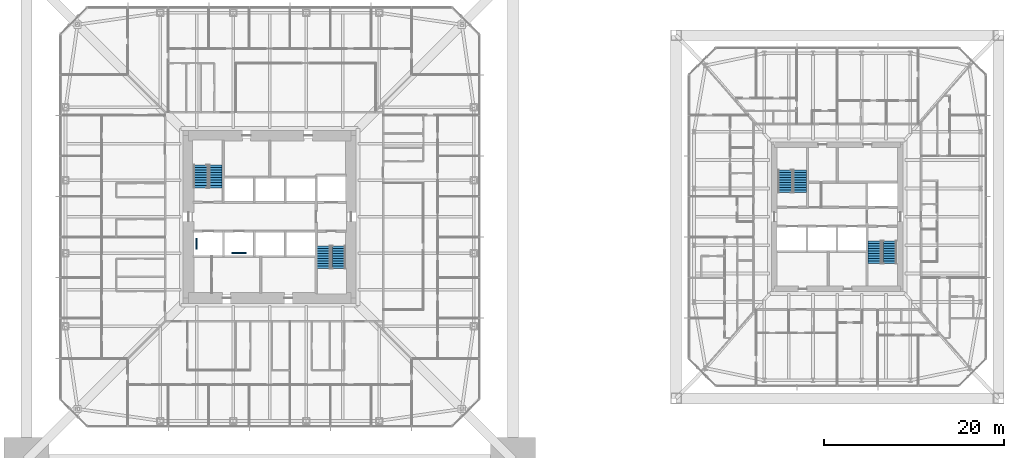
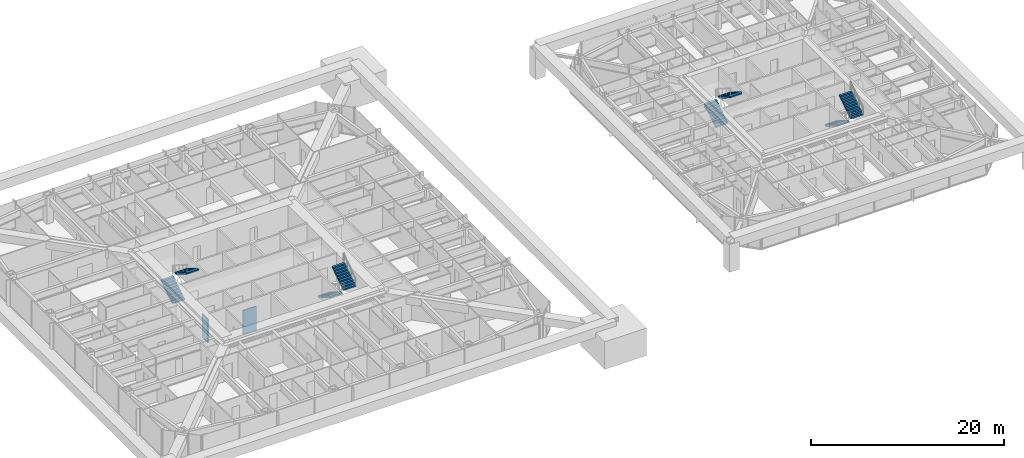
# One storey, part 28 of 32: 8 stair flights, 2 discrete accessories, 4 elements without a shape of their own.
"""IFC4 building model written with IfcOpenShell, lengths in metres."""

from ifc_helpers import new_model, si_unit, direction, frame, origin, origin_2d, place, context, subcontext, project, spatial, polyline, rectangle, outline, extrude, material, constituent, constituent_set, type_object, element, aggregate, save


model = new_model("IFC4")

# Units and contexts
model_context = context("Model", 3, precision=1e-05, world=origin(), true_north=direction((0.0, 1.0)))
body_context = subcontext(model_context, "Body", "Model", "MODEL_VIEW")
ifc_project = project(units=[si_unit("LENGTHUNIT", "METRE"), si_unit("AREAUNIT", "SQUARE_METRE"), si_unit("VOLUMEUNIT", "CUBIC_METRE"), si_unit("PLANEANGLEUNIT", "RADIAN"), si_unit("MASSUNIT", "GRAM", prefix="KILO")], contexts=[model_context])

# Site, building, storey
site_placement = place(None, origin())
site = spatial("IfcSite", under=ifc_project, at=site_placement, CompositionType="ELEMENT")
building_placement = place(site_placement, origin())
building = spatial("IfcBuilding", under=site, at=building_placement, Name="Iwan Alto Co-Living Towers", CompositionType="ELEMENT")
storey_placement = place(building_placement, frame((0.0, 0.0, 71.0)))
storey = spatial("IfcBuildingStorey", under=building, at=storey_placement, Name="L19", CompositionType="ELEMENT", Elevation=71.0)

# Stair, stair flights
ifc_material_1 = material(Name="Steel ASTM A36", Category="steel")
ifc_constituent_1 = constituent(ifc_material_1, Name="Stringers", Category="LoadBearing")
ifc_material_2 = material(Name="Concrete f'c 30 MPa", Category="concrete")
ifc_constituent_2 = constituent(ifc_material_2, Name="Tread fill", Category="Finish")
ifc_constituent_set_1 = constituent_set(constituents=[ifc_constituent_1, ifc_constituent_2], Name="STAIR 3500 TWO-FLIGHT T1 CORE")
stair_type_1 = type_object("IfcStairType", Name="STAIR 3500 TWO-FLIGHT T1 CORE", PredefinedType="HALF_TURN_STAIR", material=ifc_constituent_set_1)
stair_1_placement = place(storey_placement, origin())
stair_1 = element("IfcStair", 1, at=stair_1_placement, inside=storey, type_object=stair_type_1, Name="Stair T1-S1 L19 to L20", PredefinedType="HALF_TURN_STAIR")
ifc_constituent_3 = constituent(ifc_material_1, Name="Stringers", Category="LoadBearing")
ifc_constituent_4 = constituent(ifc_material_2, Name="Tread fill", Category="Finish")
ifc_constituent_set_2 = constituent_set(constituents=[ifc_constituent_3, ifc_constituent_4], Name="STAIR FLIGHT 10 RISERS 280 GOING")
stair_flight_type = type_object("IfcStairFlightType", Name="STAIR FLIGHT 10 RISERS 280 GOING", PredefinedType="STRAIGHT", material=ifc_constituent_set_2)
stair_flight_1_placement = place(storey_placement, frame((-7.68994140625, 3.219970703125, 0.0), z_axis=(0.0, 0.0, 1.0), x_axis=(0.0, 1.0, 0.0)))
stair_flight_1 = element("IfcStairFlight", 2, at=stair_flight_1_placement, type_object=stair_flight_type, Name="T1-S1 flight 1", NumberOfRisers=10, NumberOfTreads=9, PredefinedType="STRAIGHT", RiserHeight=0.175, TreadLength=0.28, context=body_context, shape_type="SweptSolid", body=[
    extrude(outline(polyline([(0.0, 0.0), (0.0, 0.175048828125), (0.280029296875, 0.175048828125), (0.280029296875, 0.35009765625), (0.56005859375, 0.35009765625), (0.56005859375, 0.52490234375), (0.840087890625, 0.52490234375), (0.840087890625, 0.699951171875), (1.1201171875, 0.699951171875), (1.1201171875, 0.875), (1.39990234375, 0.875), (1.39990234375, 1.050048828125), (1.679931640625, 1.050048828125), (1.679931640625, 1.22509765625), (1.9599609375, 1.22509765625), (1.9599609375, 1.39990234375), (2.239990234375, 1.39990234375), (2.239990234375, 1.574951171875), (2.52001953125, 1.574951171875), (2.52001953125, 1.75), (2.52001953125, 1.398193359375), (0.28271484375, 0.0), (0.0, 0.0)])), frame((0.0, 0.739990234375, 0.0), z_axis=(0.0, -1.0, 0.0), x_axis=(1.0, 0.0, 0.0)), (0.0, 0.0, 1.0), 1.47998046875),
])
stair_flight_2_placement = place(storey_placement, frame((-6.010009765625, 5.739990234375, 1.75), z_axis=(0.0, 0.0, 1.0), x_axis=(0.0, -1.0, 0.0)))
stair_flight_2 = element("IfcStairFlight", 3, at=stair_flight_2_placement, type_object=stair_flight_type, Name="T1-S1 flight 2", NumberOfRisers=10, NumberOfTreads=9, PredefinedType="STRAIGHT", RiserHeight=0.175, TreadLength=0.28, context=body_context, shape_type="SweptSolid", body=[
    extrude(outline(polyline([(0.0, 0.0), (0.0, 0.175048828125), (0.280029296875, 0.175048828125), (0.280029296875, 0.35009765625), (0.56005859375, 0.35009765625), (0.56005859375, 0.52490234375), (0.840087890625, 0.52490234375), (0.840087890625, 0.699951171875), (1.1201171875, 0.699951171875), (1.1201171875, 0.875), (1.39990234375, 0.875), (1.39990234375, 1.050048828125), (1.679931640625, 1.050048828125), (1.679931640625, 1.22509765625), (1.9599609375, 1.22509765625), (1.9599609375, 1.39990234375), (2.239990234375, 1.39990234375), (2.239990234375, 1.574951171875), (2.52001953125, 1.574951171875), (2.52001953125, 1.75), (2.52001953125, 1.398193359375), (0.28271484375, 0.0), (0.0, 0.0)])), frame((0.0, 0.739990234375, 0.0), z_axis=(0.0, -1.0, 0.0), x_axis=(1.0, 0.0, 0.0)), (0.0, 0.0, 1.0), 1.47998046875),
])
aggregate(stair_1, [stair_flight_1, stair_flight_2])

stair_2_placement = place(storey_placement, origin())
stair_2 = element("IfcStair", 4, at=stair_2_placement, inside=storey, type_object=stair_type_1, Name="Stair T1-S2 L19 to L20", PredefinedType="HALF_TURN_STAIR")
stair_flight_3_placement = place(storey_placement, frame((6.010009765625, -3.219970703125, 0.0), z_axis=(0.0, 0.0, 1.0), x_axis=(0.0, -1.0, 0.0)))
stair_flight_3 = element("IfcStairFlight", 5, at=stair_flight_3_placement, type_object=stair_flight_type, Name="T1-S2 flight 1", NumberOfRisers=10, NumberOfTreads=9, PredefinedType="STRAIGHT", RiserHeight=0.175, TreadLength=0.28, context=body_context, shape_type="SweptSolid", body=[
    extrude(outline(polyline([(0.0, 0.0), (0.0, 0.175048828125), (0.280029296875, 0.175048828125), (0.280029296875, 0.35009765625), (0.56005859375, 0.35009765625), (0.56005859375, 0.52490234375), (0.840087890625, 0.52490234375), (0.840087890625, 0.699951171875), (1.1201171875, 0.699951171875), (1.1201171875, 0.875), (1.39990234375, 0.875), (1.39990234375, 1.050048828125), (1.679931640625, 1.050048828125), (1.679931640625, 1.22509765625), (1.9599609375, 1.22509765625), (1.9599609375, 1.39990234375), (2.239990234375, 1.39990234375), (2.239990234375, 1.574951171875), (2.52001953125, 1.574951171875), (2.52001953125, 1.75), (2.52001953125, 1.398193359375), (0.28271484375, 0.0), (0.0, 0.0)])), frame((0.0, 0.739990234375, 0.0), z_axis=(0.0, -1.0, 0.0), x_axis=(1.0, 0.0, 0.0)), (0.0, 0.0, 1.0), 1.47998046875),
])
stair_flight_4_placement = place(storey_placement, frame((7.68994140625, -5.739990234375, 1.75), z_axis=(0.0, 0.0, 1.0), x_axis=(0.0, 1.0, 0.0)))
stair_flight_4 = element("IfcStairFlight", 6, at=stair_flight_4_placement, type_object=stair_flight_type, Name="T1-S2 flight 2", NumberOfRisers=10, NumberOfTreads=9, PredefinedType="STRAIGHT", RiserHeight=0.175, TreadLength=0.28, context=body_context, shape_type="SweptSolid", body=[
    extrude(outline(polyline([(0.0, 0.0), (0.0, 0.175048828125), (0.280029296875, 0.175048828125), (0.280029296875, 0.35009765625), (0.56005859375, 0.35009765625), (0.56005859375, 0.52490234375), (0.840087890625, 0.52490234375), (0.840087890625, 0.699951171875), (1.1201171875, 0.699951171875), (1.1201171875, 0.875), (1.39990234375, 0.875), (1.39990234375, 1.050048828125), (1.679931640625, 1.050048828125), (1.679931640625, 1.22509765625), (1.9599609375, 1.22509765625), (1.9599609375, 1.39990234375), (2.239990234375, 1.39990234375), (2.239990234375, 1.574951171875), (2.52001953125, 1.574951171875), (2.52001953125, 1.75), (2.52001953125, 1.398193359375), (0.28271484375, 0.0), (0.0, 0.0)])), frame((0.0, 0.739990234375, 0.0), z_axis=(0.0, -1.0, 0.0), x_axis=(1.0, 0.0, 0.0)), (0.0, 0.0, 1.0), 1.47998046875),
])
aggregate(stair_2, [stair_flight_3, stair_flight_4])

ifc_constituent_5 = constituent(ifc_material_1, Name="Stringers", Category="LoadBearing")
ifc_constituent_6 = constituent(ifc_material_2, Name="Tread fill", Category="Finish")
ifc_constituent_set_3 = constituent_set(constituents=[ifc_constituent_5, ifc_constituent_6], Name="STAIR 3500 TWO-FLIGHT T2 CORE")
stair_type_2 = type_object("IfcStairType", Name="STAIR 3500 TWO-FLIGHT T2 CORE", PredefinedType="HALF_TURN_STAIR", material=ifc_constituent_set_3)
stair_3_placement = place(storey_placement, origin())
stair_3 = element("IfcStair", 7, at=stair_3_placement, inside=storey, type_object=stair_type_2, Name="Stair T2-S1 L19 to L20", PredefinedType="HALF_TURN_STAIR")
stair_flight_5_placement = place(storey_placement, frame((57.159912109375, 2.669921875, 0.0), z_axis=(0.0, 0.0, 1.0), x_axis=(0.0, 1.0, 0.0)))
stair_flight_5 = element("IfcStairFlight", 8, at=stair_flight_5_placement, type_object=stair_flight_type, Name="T2-S1 flight 1", NumberOfRisers=10, NumberOfTreads=9, PredefinedType="STRAIGHT", RiserHeight=0.175, TreadLength=0.28, context=body_context, shape_type="SweptSolid", body=[
    extrude(outline(polyline([(0.0, 0.0), (0.0, 0.175048828125), (0.280029296875, 0.175048828125), (0.280029296875, 0.35009765625), (0.56005859375, 0.35009765625), (0.56005859375, 0.52490234375), (0.840087890625, 0.52490234375), (0.840087890625, 0.699951171875), (1.1201171875, 0.699951171875), (1.1201171875, 0.875), (1.39990234375, 0.875), (1.39990234375, 1.050048828125), (1.679931640625, 1.050048828125), (1.679931640625, 1.22509765625), (1.9599609375, 1.22509765625), (1.9599609375, 1.39990234375), (2.239990234375, 1.39990234375), (2.239990234375, 1.574951171875), (2.52001953125, 1.574951171875), (2.52001953125, 1.75), (2.52001953125, 1.398193359375), (0.28271484375, 0.0), (0.0, 0.0)])), frame((0.0, 0.739990234375, 0.0), z_axis=(0.0, -1.0, 0.0), x_axis=(1.0, 0.0, 0.0)), (0.0, 0.0, 1.0), 1.47998046875),
])
stair_flight_6_placement = place(storey_placement, frame((58.840087890625, 5.18994140625, 1.75), z_axis=(0.0, 0.0, 1.0), x_axis=(0.0, -1.0, 0.0)))
stair_flight_6 = element("IfcStairFlight", 9, at=stair_flight_6_placement, type_object=stair_flight_type, Name="T2-S1 flight 2", NumberOfRisers=10, NumberOfTreads=9, PredefinedType="STRAIGHT", RiserHeight=0.175, TreadLength=0.28, context=body_context, shape_type="SweptSolid", body=[
    extrude(outline(polyline([(0.0, 0.0), (0.0, 0.175048828125), (0.280029296875, 0.175048828125), (0.280029296875, 0.35009765625), (0.56005859375, 0.35009765625), (0.56005859375, 0.52490234375), (0.840087890625, 0.52490234375), (0.840087890625, 0.699951171875), (1.1201171875, 0.699951171875), (1.1201171875, 0.875), (1.39990234375, 0.875), (1.39990234375, 1.050048828125), (1.679931640625, 1.050048828125), (1.679931640625, 1.22509765625), (1.9599609375, 1.22509765625), (1.9599609375, 1.39990234375), (2.239990234375, 1.39990234375), (2.239990234375, 1.574951171875), (2.52001953125, 1.574951171875), (2.52001953125, 1.75), (2.52001953125, 1.398193359375), (0.28271484375, 0.0), (0.0, 0.0)])), frame((0.0, 0.739990234375, 0.0), z_axis=(0.0, -1.0, 0.0), x_axis=(1.0, 0.0, 0.0)), (0.0, 0.0, 1.0), 1.47998046875),
])
aggregate(stair_3, [stair_flight_5, stair_flight_6])

stair_4_placement = place(storey_placement, origin())
stair_4 = element("IfcStair", 10, at=stair_4_placement, inside=storey, type_object=stair_type_2, Name="Stair T2-S2 L19 to L20", PredefinedType="HALF_TURN_STAIR")
stair_flight_7_placement = place(storey_placement, frame((67.159912109375, -2.669921875, 0.0), z_axis=(0.0, 0.0, 1.0), x_axis=(0.0, -1.0, 0.0)))
stair_flight_7 = element("IfcStairFlight", 11, at=stair_flight_7_placement, type_object=stair_flight_type, Name="T2-S2 flight 1", NumberOfRisers=10, NumberOfTreads=9, PredefinedType="STRAIGHT", RiserHeight=0.175, TreadLength=0.28, context=body_context, shape_type="SweptSolid", body=[
    extrude(outline(polyline([(0.0, 0.0), (0.0, 0.175048828125), (0.280029296875, 0.175048828125), (0.280029296875, 0.35009765625), (0.56005859375, 0.35009765625), (0.56005859375, 0.52490234375), (0.840087890625, 0.52490234375), (0.840087890625, 0.699951171875), (1.1201171875, 0.699951171875), (1.1201171875, 0.875), (1.39990234375, 0.875), (1.39990234375, 1.050048828125), (1.679931640625, 1.050048828125), (1.679931640625, 1.22509765625), (1.9599609375, 1.22509765625), (1.9599609375, 1.39990234375), (2.239990234375, 1.39990234375), (2.239990234375, 1.574951171875), (2.52001953125, 1.574951171875), (2.52001953125, 1.75), (2.52001953125, 1.398193359375), (0.28271484375, 0.0), (0.0, 0.0)])), frame((0.0, 0.739990234375, 0.0), z_axis=(0.0, -1.0, 0.0), x_axis=(1.0, 0.0, 0.0)), (0.0, 0.0, 1.0), 1.47998046875),
])
stair_flight_8_placement = place(storey_placement, frame((68.840087890625, -5.18994140625, 1.75), z_axis=(0.0, 0.0, 1.0), x_axis=(0.0, 1.0, 0.0)))
stair_flight_8 = element("IfcStairFlight", 12, at=stair_flight_8_placement, type_object=stair_flight_type, Name="T2-S2 flight 2", NumberOfRisers=10, NumberOfTreads=9, PredefinedType="STRAIGHT", RiserHeight=0.175, TreadLength=0.28, context=body_context, shape_type="SweptSolid", body=[
    extrude(outline(polyline([(0.0, 0.0), (0.0, 0.175048828125), (0.280029296875, 0.175048828125), (0.280029296875, 0.35009765625), (0.56005859375, 0.35009765625), (0.56005859375, 0.52490234375), (0.840087890625, 0.52490234375), (0.840087890625, 0.699951171875), (1.1201171875, 0.699951171875), (1.1201171875, 0.875), (1.39990234375, 0.875), (1.39990234375, 1.050048828125), (1.679931640625, 1.050048828125), (1.679931640625, 1.22509765625), (1.9599609375, 1.22509765625), (1.9599609375, 1.39990234375), (2.239990234375, 1.39990234375), (2.239990234375, 1.574951171875), (2.52001953125, 1.574951171875), (2.52001953125, 1.75), (2.52001953125, 1.398193359375), (0.28271484375, 0.0), (0.0, 0.0)])), frame((0.0, 0.739990234375, 0.0), z_axis=(0.0, -1.0, 0.0), x_axis=(1.0, 0.0, 0.0)), (0.0, 0.0, 1.0), 1.47998046875),
])
aggregate(stair_4, [stair_flight_7, stair_flight_8])

# Discrete accessories
placement_1 = place(building_placement, frame((0.0, 0.0, -7.199951171875)))
placement_2 = place(placement_1, frame((-6.83740234375, -3.0, 0.0), z_axis=(0.0, 0.0, 1.0), x_axis=(1.0, 0.0, 0.0)))
discrete_accessory_1_placement = place(placement_2, origin())
element("IfcDiscreteAccessory", 13, at=discrete_accessory_1_placement, inside=storey, material=ifc_material_1, Name="Lift P1-1 counterweight", ObjectType="Lift counterweight", PredefinedType="USERDEFINED", context=body_context, shape_type="SweptSolid", body=[
    extrude(rectangle(XDim=0.15, YDim=1.2000000000000002, at=origin_2d()), frame((-1.27490234375, 0.0, 77.300048828125)), (0.0, 0.0, 1.0), 3.0),
])
placement_3 = place(placement_1, frame((-3.41259765625, -3.0, 0.0), z_axis=(0.0, 0.0, 1.0), x_axis=(1.0, 0.0, 0.0)))
discrete_accessory_2_placement = place(placement_3, origin())
element("IfcDiscreteAccessory", 14, at=discrete_accessory_2_placement, inside=storey, material=ifc_material_1, Name="Lift P1-2 counterweight", ObjectType="Lift counterweight", PredefinedType="USERDEFINED", context=body_context, shape_type="SweptSolid", body=[
    extrude(rectangle(XDim=1.6, YDim=0.15, at=origin_2d()), frame((0.0, -1.02490234375, 77.300048828125)), (0.0, 0.0, 1.0), 3.0),
])

save(model, "model.ifc")
